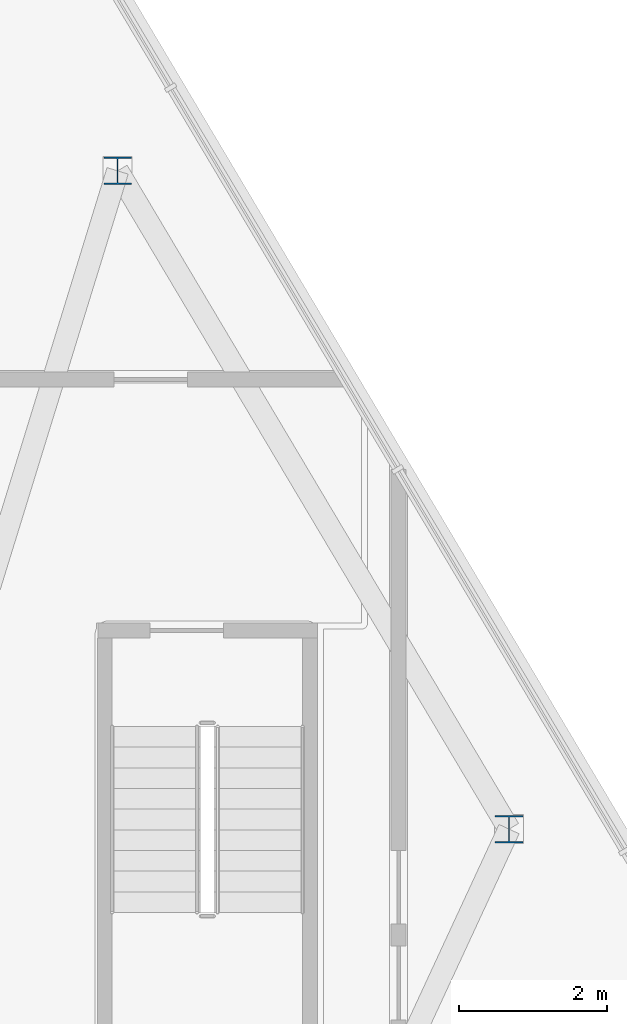
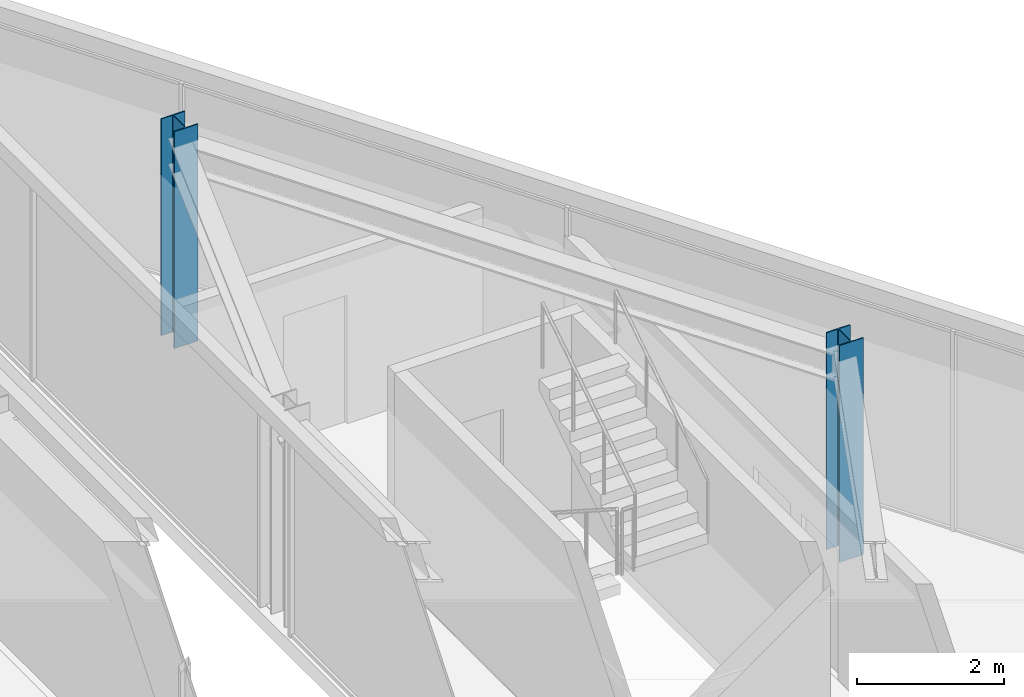
# One storey, part 2 of 15: 2 columns.
"""IFC4 building model written with IfcOpenShell, lengths in metres."""

from ifc_helpers import new_model, si_unit, direction, frame, origin, origin_2d, place, context, subcontext, project, spatial, i_section, extrude, material, material_profile, profile_set, type_object, element, save


model = new_model("IFC4")

# Units and contexts
model_context = context("Model", 3, precision=1e-05, world=origin(), true_north=direction((0.0, 1.0)))
body_context = subcontext(model_context, "Body", "Model", "MODEL_VIEW")
ifc_project = project(units=[si_unit("LENGTHUNIT", "METRE"), si_unit("AREAUNIT", "SQUARE_METRE"), si_unit("VOLUMEUNIT", "CUBIC_METRE"), si_unit("PLANEANGLEUNIT", "RADIAN"), si_unit("MASSUNIT", "GRAM", prefix="KILO")], contexts=[model_context])

# Site, building, storey
site_placement = place(None, origin())
site = spatial("IfcSite", under=ifc_project, at=site_placement, CompositionType="ELEMENT")
building_placement = place(site_placement, origin())
building = spatial("IfcBuilding", under=site, at=building_placement, Name="Savorim Split Tower", CompositionType="ELEMENT")
storey_placement = place(building_placement, frame((0.0, 0.0, 304.800048828125)))
storey = spatial("IfcBuildingStorey", under=building, at=storey_placement, Name="Crown L81 Plant", CompositionType="ELEMENT", Elevation=304.800048828125)

# Columns
ifc_material = material(Name="Steel S355", Category="steel")
ifc_material_profile = material_profile(ifc_material, i_section(OverallWidth=0.3740234375, OverallDepth=0.3720703125, WebThickness=0.01220703125, FlangeThickness=0.02001953125, FilletRadius=0.014892578125, at=origin_2d()), Name="HD 360x196")
ifc_profile_set = profile_set([ifc_material_profile], Name="Steel S355")
column_type = type_object("IfcColumnType", Name="COL-HD-196", PredefinedType="COLUMN", material=ifc_profile_set)
for number, where, z_axis, x_axis, name in (
    (1, (18.44580078125, -4.239990234375, 0.0), (0.0, 0.0, 1.0), (1.0, 0.0, 0.0), "Crown L81 Plant East Crown Column EC-2"),
    (2, (13.144287109375, 4.675537109375, 0.0), (0.0, 0.0, 1.0), (1.0, 0.0, 0.0), "Crown L81 Plant East Crown Column EC-3"),
):
    element("IfcColumn", number, at=place(storey_placement, frame(where, z_axis=z_axis, x_axis=x_axis)), inside=storey, type_object=column_type, Name=name, PredefinedType="COLUMN", context=body_context, shape_type="SweptSolid", body=[
        extrude(i_section(OverallWidth=0.3740234375, OverallDepth=0.3720703125, WebThickness=0.01220703125, FlangeThickness=0.02001953125, FilletRadius=0.014892578125, at=origin_2d()), origin(), (0.0, 0.0, 1.0), 3.599853515625),
    ])

save(model, "model.ifc")
